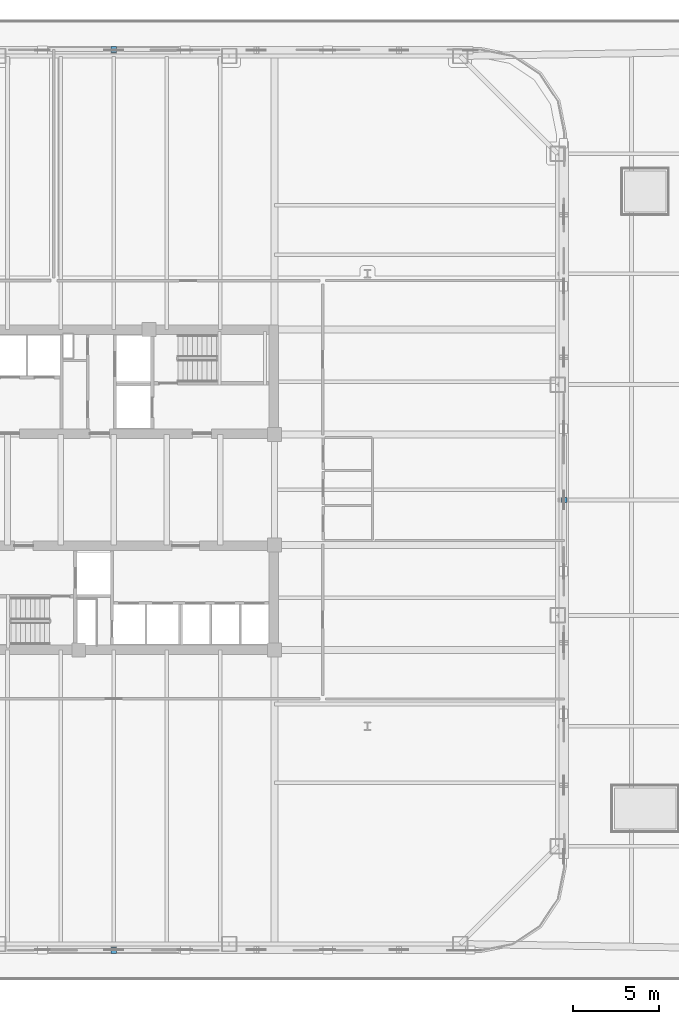
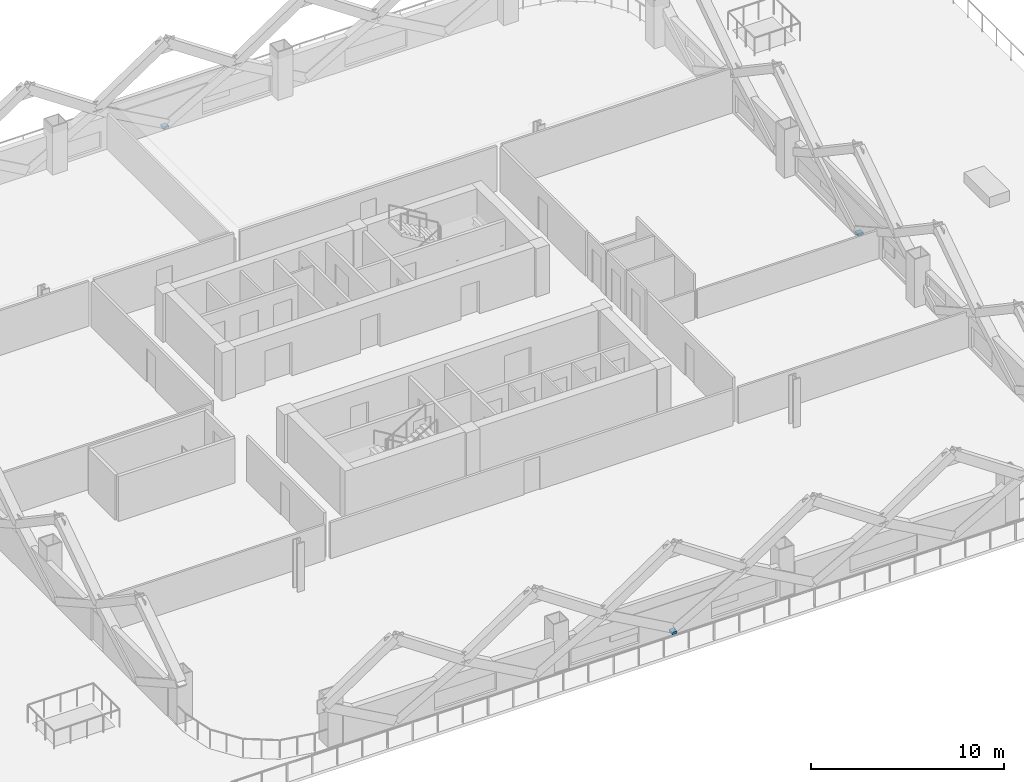
# One storey, part 10 of 17: 3 discrete accessories.
"""IFC4 building model written with IfcOpenShell, lengths in metres."""

from ifc_helpers import new_model, si_unit, direction, frame, origin, origin_2d, place, context, subcontext, project, spatial, rectangle, extrude, material, type_object, element, save


model = new_model("IFC4")

# Units and contexts
model_context = context("Model", 3, precision=1e-05, world=origin(), true_north=direction((0.0, 1.0)))
body_context = subcontext(model_context, "Body", "Model", "MODEL_VIEW")
ifc_project = project(units=[si_unit("LENGTHUNIT", "METRE"), si_unit("AREAUNIT", "SQUARE_METRE"), si_unit("VOLUMEUNIT", "CUBIC_METRE"), si_unit("PLANEANGLEUNIT", "RADIAN"), si_unit("MASSUNIT", "GRAM", prefix="KILO")], contexts=[model_context])

# Site, building, storey
site_placement = place(None, origin())
site = spatial("IfcSite", under=ifc_project, at=site_placement, CompositionType="ELEMENT")
building_placement = place(site_placement, origin())
building = spatial("IfcBuilding", under=site, at=building_placement, Name="Qhalaya Broadcast Tower", CompositionType="ELEMENT")
storey_placement = place(building_placement, frame((0.0, 0.0, 26.10009765625)))
storey = spatial("IfcBuildingStorey", under=building, at=storey_placement, Name="L06", CompositionType="ELEMENT", Elevation=26.10009765625)

# Discrete accessories
ifc_material = material(Name="Structural Steel ASTM A572 Grade 50", Category="steel")
discrete_accessory_type = type_object("IfcDiscreteAccessoryType", Name="Facade Baguette Support Bracket BRK-01", PredefinedType="BRACKET", material=ifc_material)
for number, where, z_axis, x_axis, name in (
    (1, (0.0, -26.280029296875, 0.0), (0.0, 0.0, 1.0), (1.0, 0.0, 0.0), "L06 Baguette Support Bracket S"),
    (2, (26.280029296875, 0.0, 0.0), (0.0, 0.0, 1.0), (0.0, 1.0, 0.0), "L06 Baguette Support Bracket E"),
    (3, (0.0, 26.280029296875, 0.0), (0.0, 0.0, 1.0), (-1.0, 0.0, 0.0), "L06 Baguette Support Bracket N"),
):
    element("IfcDiscreteAccessory", number, at=place(storey_placement, frame(where, z_axis=z_axis, x_axis=x_axis)), inside=storey, type_object=discrete_accessory_type, Name=name, PredefinedType="BRACKET", context=body_context, shape_type="SweptSolid", body=[
        extrude(rectangle(XDim=0.300048828125, YDim=0.340087890625, at=origin_2d()), origin(), (0.0, 0.0, 1.0), 0.159912109375),
    ])

save(model, "model.ifc")
